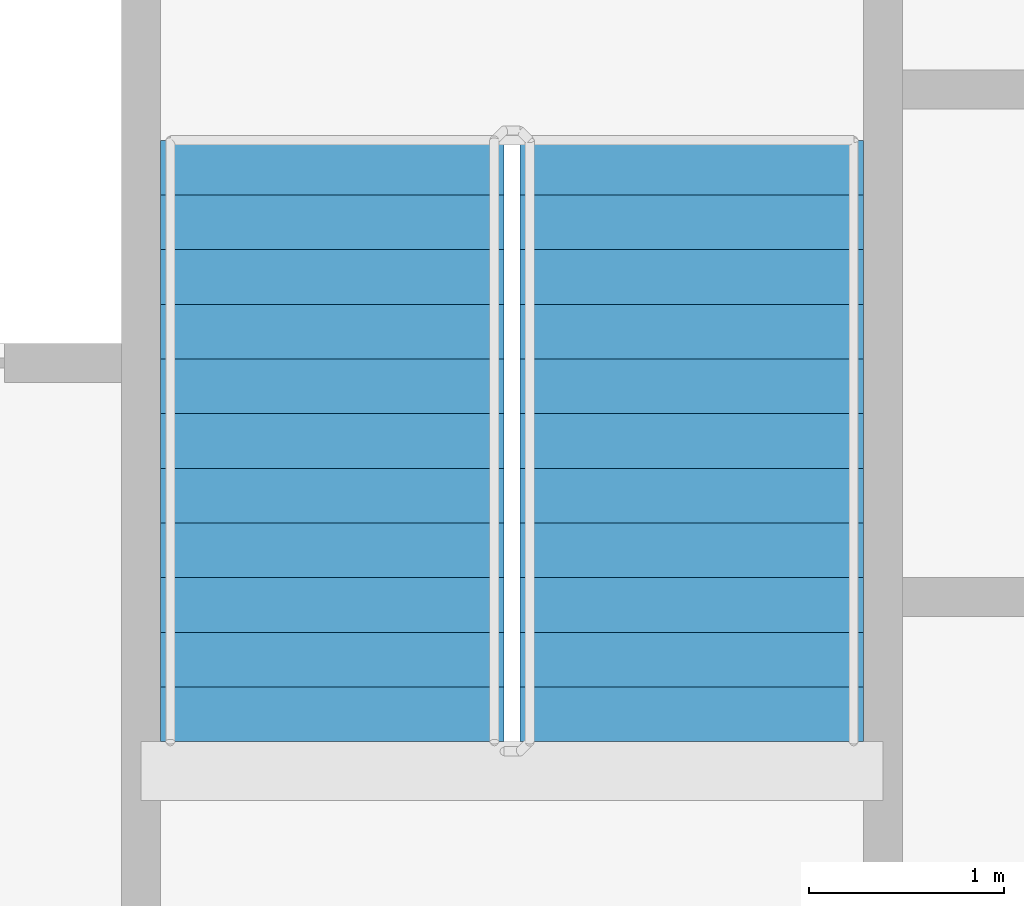
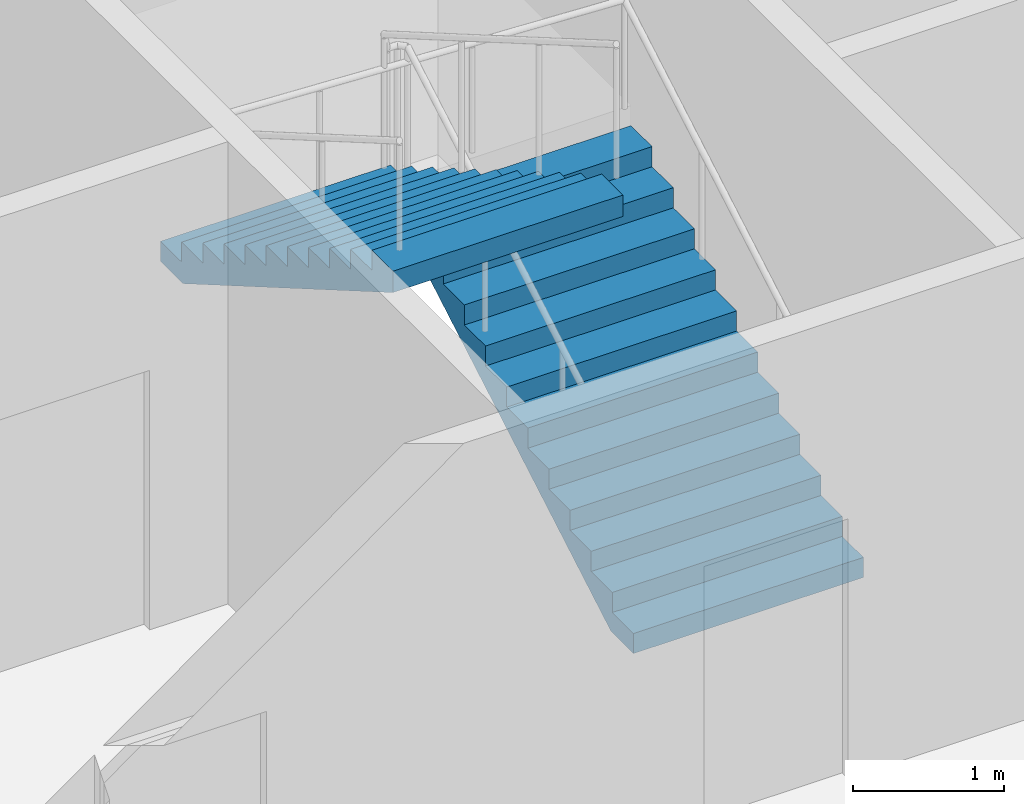
# One storey, part 10 of 15: 2 stair flights, 1 element without a shape of its own.
"""IFC4 building model written with IfcOpenShell, lengths in metres."""

from ifc_helpers import new_model, si_unit, direction, frame, origin, place, context, subcontext, project, spatial, faceted_brep, material, type_object, element, aggregate, save


model = new_model("IFC4")

# Units and contexts
model_context = context("Model", 3, precision=1e-05, world=origin(), true_north=direction((0.0, 1.0)))
body_context = subcontext(model_context, "Body", "Model", "MODEL_VIEW")
ifc_project = project(units=[si_unit("LENGTHUNIT", "METRE"), si_unit("AREAUNIT", "SQUARE_METRE"), si_unit("VOLUMEUNIT", "CUBIC_METRE"), si_unit("PLANEANGLEUNIT", "RADIAN"), si_unit("MASSUNIT", "GRAM", prefix="KILO")], contexts=[model_context])

# Site, building, storey
site_placement = place(None, origin())
site = spatial("IfcSite", under=ifc_project, at=site_placement, CompositionType="ELEMENT")
building_placement = place(site_placement, origin())
building = spatial("IfcBuilding", under=site, at=building_placement, Name="Tarsis Ring Headquarters", CompositionType="ELEMENT")
storey_placement = place(building_placement, frame((0.0, 0.0, 174.89990234375)))
storey = spatial("IfcBuildingStorey", under=building, at=storey_placement, Name="L40", CompositionType="ELEMENT", Elevation=174.89990234375)

# Stair, stair flights
ifc_material_1 = material(Name="Core stair 1760")
stair_type = type_object("IfcStairType", Name="Core stair 1760", PredefinedType="HALF_TURN_STAIR", material=ifc_material_1)
stair_placement = place(storey_placement, origin())
stair = element("IfcStair", 1, at=stair_placement, inside=storey, type_object=stair_type, Name="L40 Exit stair B", PredefinedType="HALF_TURN_STAIR")
ifc_material_2 = material(Name="Concrete C40/50", Category="concrete")
stair_flight_type = type_object("IfcStairFlightType", Name="Core stair flight 1760", PredefinedType="STRAIGHT", material=ifc_material_2)
stair_flight_1_placement = place(storey_placement, frame((5.419921875, 3.659912109375, 0.0), z_axis=(0.0, 0.0, 1.0), x_axis=(0.0, 1.0, 0.0)))
stair_flight_1 = element("IfcStairFlight", 2, at=stair_flight_1_placement, type_object=stair_flight_type, Name="Stair ST2 flight 1", NumberOfRisers=12, NumberOfTreads=11, PredefinedType="STRAIGHT", RiserHeight=0.1625, TreadLength=0.28, context=body_context, shape_type="Brep", body=[
    faceted_brep([(0.0, 0.8798828125, 0.0), (0.0, 0.8798828125, 0.16259765625), (0.280029296875, 0.8798828125, 0.16259765625), (0.280029296875, 0.8798828125, 0.324951171875), (0.56005859375, 0.8798828125, 0.324951171875), (0.56005859375, 0.8798828125, 0.487548828125), (0.840087890625, 0.8798828125, 0.487548828125), (0.840087890625, 0.8798828125, 0.64990234375), (1.1201171875, 0.8798828125, 0.64990234375), (1.1201171875, 0.8798828125, 0.8125), (1.39990234375, 0.8798828125, 0.8125), (1.39990234375, 0.8798828125, 0.97509765625), (1.679931640625, 0.8798828125, 0.97509765625), (1.679931640625, 0.8798828125, 1.137451171875), (1.9599609375, 0.8798828125, 1.137451171875), (1.9599609375, 0.8798828125, 1.300048828125), (2.239990234375, 0.8798828125, 1.300048828125), (2.239990234375, 0.8798828125, 1.46240234375), (2.52001953125, 0.8798828125, 1.46240234375), (2.52001953125, 0.8798828125, 1.625), (2.800048828125, 0.8798828125, 1.625), (2.800048828125, 0.8798828125, 1.78759765625), (3.080078125, 0.8798828125, 1.78759765625), (3.080078125, 0.8798828125, 1.6142578125), (0.298583984375, 0.8798828125, 0.0), (0.298583984375, -0.8798828125, 0.0), (3.080078125, -0.8798828125, 1.6142578125), (3.080078125, -0.8798828125, 1.78759765625), (2.800048828125, -0.8798828125, 1.78759765625), (2.800048828125, -0.8798828125, 1.625), (2.52001953125, -0.8798828125, 1.625), (2.52001953125, -0.8798828125, 1.46240234375), (2.239990234375, -0.8798828125, 1.46240234375), (2.239990234375, -0.8798828125, 1.300048828125), (1.9599609375, -0.8798828125, 1.300048828125), (1.9599609375, -0.8798828125, 1.137451171875), (1.679931640625, -0.8798828125, 1.137451171875), (1.679931640625, -0.8798828125, 0.97509765625), (1.39990234375, -0.8798828125, 0.97509765625), (1.39990234375, -0.8798828125, 0.8125), (1.1201171875, -0.8798828125, 0.8125), (1.1201171875, -0.8798828125, 0.64990234375), (0.840087890625, -0.8798828125, 0.64990234375), (0.840087890625, -0.8798828125, 0.487548828125), (0.56005859375, -0.8798828125, 0.487548828125), (0.56005859375, -0.8798828125, 0.324951171875), (0.280029296875, -0.8798828125, 0.324951171875), (0.280029296875, -0.8798828125, 0.16259765625), (0.0, -0.8798828125, 0.16259765625), (0.0, -0.8798828125, 0.0), (0.0, -0.43994140625, 0.16259765625), (0.0, -0.43994140625, 0.0), (0.0, 0.0, 0.16259765625), (0.0, 0.0, 0.0), (0.0, 0.43994140625, 0.16259765625), (0.0, 0.43994140625, 0.0), (0.280029296875, -0.43994140625, 0.16259765625), (0.280029296875, 0.0, 0.16259765625), (0.280029296875, 0.43994140625, 0.16259765625), (0.280029296875, -0.43994140625, 0.324951171875), (0.280029296875, 0.0, 0.324951171875), (0.280029296875, 0.43994140625, 0.324951171875), (0.56005859375, -0.43994140625, 0.324951171875), (0.56005859375, 0.0, 0.324951171875), (0.56005859375, 0.43994140625, 0.324951171875), (0.56005859375, -0.43994140625, 0.487548828125), (0.56005859375, 0.0, 0.487548828125), (0.56005859375, 0.43994140625, 0.487548828125), (0.840087890625, -0.43994140625, 0.487548828125), (0.840087890625, 0.0, 0.487548828125), (0.840087890625, 0.43994140625, 0.487548828125), (0.840087890625, -0.43994140625, 0.64990234375), (0.840087890625, 0.0, 0.64990234375), (0.840087890625, 0.43994140625, 0.64990234375), (1.1201171875, -0.43994140625, 0.64990234375), (1.1201171875, 0.0, 0.64990234375), (1.1201171875, 0.43994140625, 0.64990234375), (1.1201171875, -0.43994140625, 0.8125), (1.1201171875, 0.0, 0.8125), (1.1201171875, 0.43994140625, 0.8125), (1.39990234375, -0.43994140625, 0.8125), (1.39990234375, 0.0, 0.8125), (1.39990234375, 0.43994140625, 0.8125), (1.39990234375, -0.43994140625, 0.97509765625), (1.39990234375, 0.0, 0.97509765625), (1.39990234375, 0.43994140625, 0.97509765625), (1.679931640625, -0.43994140625, 0.97509765625), (1.679931640625, 0.0, 0.97509765625), (1.679931640625, 0.43994140625, 0.97509765625), (1.679931640625, -0.43994140625, 1.137451171875), (1.679931640625, 0.0, 1.137451171875), (1.679931640625, 0.43994140625, 1.137451171875), (1.9599609375, -0.43994140625, 1.137451171875), (1.9599609375, 0.0, 1.137451171875), (1.9599609375, 0.43994140625, 1.137451171875), (1.9599609375, -0.43994140625, 1.300048828125), (1.9599609375, 0.0, 1.300048828125), (1.9599609375, 0.43994140625, 1.300048828125), (2.239990234375, -0.43994140625, 1.300048828125), (2.239990234375, 0.0, 1.300048828125), (2.239990234375, 0.43994140625, 1.300048828125), (2.239990234375, -0.43994140625, 1.46240234375), (2.239990234375, 0.0, 1.46240234375), (2.239990234375, 0.43994140625, 1.46240234375), (2.52001953125, -0.43994140625, 1.46240234375), (2.52001953125, 0.0, 1.46240234375), (2.52001953125, 0.43994140625, 1.46240234375), (2.52001953125, -0.43994140625, 1.625), (2.52001953125, 0.0, 1.625), (2.52001953125, 0.43994140625, 1.625), (2.800048828125, -0.43994140625, 1.625), (2.800048828125, 0.0, 1.625), (2.800048828125, 0.43994140625, 1.625), (2.800048828125, -0.43994140625, 1.78759765625), (2.800048828125, 0.0, 1.78759765625), (2.800048828125, 0.43994140625, 1.78759765625), (3.080078125, -0.43994140625, 1.78759765625), (3.080078125, 0.0, 1.78759765625), (3.080078125, 0.43994140625, 1.78759765625), (3.080078125, -0.43994140625, 1.6142578125), (3.080078125, 0.0, 1.6142578125), (3.080078125, 0.43994140625, 1.6142578125), (0.298583984375, -0.43994140625, 0.0), (0.298583984375, 0.0, 0.0), (0.298583984375, 0.43994140625, 0.0)], [[[0, 1, 2, 3, 4, 5, 6, 7, 8, 9, 10, 11, 12, 13, 14, 15, 16, 17, 18, 19, 20, 21, 22, 23, 24]], [[25, 26, 27, 28, 29, 30, 31, 32, 33, 34, 35, 36, 37, 38, 39, 40, 41, 42, 43, 44, 45, 46, 47, 48, 49]], [[49, 48, 50, 51]], [[51, 50, 52, 53]], [[53, 52, 54, 55]], [[55, 54, 1, 0]], [[48, 47, 56, 50]], [[50, 56, 57, 52]], [[52, 57, 58, 54]], [[54, 58, 2, 1]], [[47, 46, 59, 56]], [[56, 59, 60, 57]], [[57, 60, 61, 58]], [[58, 61, 3, 2]], [[46, 45, 62, 59]], [[59, 62, 63, 60]], [[60, 63, 64, 61]], [[61, 64, 4, 3]], [[45, 44, 65, 62]], [[62, 65, 66, 63]], [[63, 66, 67, 64]], [[64, 67, 5, 4]], [[44, 43, 68, 65]], [[65, 68, 69, 66]], [[66, 69, 70, 67]], [[67, 70, 6, 5]], [[43, 42, 71, 68]], [[68, 71, 72, 69]], [[69, 72, 73, 70]], [[70, 73, 7, 6]], [[42, 41, 74, 71]], [[71, 74, 75, 72]], [[72, 75, 76, 73]], [[73, 76, 8, 7]], [[41, 40, 77, 74]], [[74, 77, 78, 75]], [[75, 78, 79, 76]], [[76, 79, 9, 8]], [[40, 39, 80, 77]], [[77, 80, 81, 78]], [[78, 81, 82, 79]], [[79, 82, 10, 9]], [[39, 38, 83, 80]], [[80, 83, 84, 81]], [[81, 84, 85, 82]], [[82, 85, 11, 10]], [[38, 37, 86, 83]], [[83, 86, 87, 84]], [[84, 87, 88, 85]], [[85, 88, 12, 11]], [[37, 36, 89, 86]], [[86, 89, 90, 87]], [[87, 90, 91, 88]], [[88, 91, 13, 12]], [[36, 35, 92, 89]], [[89, 92, 93, 90]], [[90, 93, 94, 91]], [[91, 94, 14, 13]], [[35, 34, 95, 92]], [[92, 95, 96, 93]], [[93, 96, 97, 94]], [[94, 97, 15, 14]], [[34, 33, 98, 95]], [[95, 98, 99, 96]], [[96, 99, 100, 97]], [[97, 100, 16, 15]], [[33, 32, 101, 98]], [[98, 101, 102, 99]], [[99, 102, 103, 100]], [[100, 103, 17, 16]], [[32, 31, 104, 101]], [[101, 104, 105, 102]], [[102, 105, 106, 103]], [[103, 106, 18, 17]], [[31, 30, 107, 104]], [[104, 107, 108, 105]], [[105, 108, 109, 106]], [[106, 109, 19, 18]], [[30, 29, 110, 107]], [[107, 110, 111, 108]], [[108, 111, 112, 109]], [[109, 112, 20, 19]], [[29, 28, 113, 110]], [[110, 113, 114, 111]], [[111, 114, 115, 112]], [[112, 115, 21, 20]], [[28, 27, 116, 113]], [[113, 116, 117, 114]], [[114, 117, 118, 115]], [[115, 118, 22, 21]], [[27, 26, 119, 116]], [[116, 119, 120, 117]], [[117, 120, 121, 118]], [[118, 121, 23, 22]], [[26, 25, 122, 119]], [[119, 122, 123, 120]], [[120, 123, 124, 121]], [[121, 124, 24, 23]], [[25, 49, 51, 122]], [[122, 51, 53, 123]], [[123, 53, 55, 124]], [[124, 55, 0, 24]]]),
])
stair_flight_2_placement = place(storey_placement, frame((3.580078125, 6.739990234375, 1.9501953125), z_axis=(0.0, 0.0, 1.0), x_axis=(0.0, -1.0, 0.0)))
stair_flight_2 = element("IfcStairFlight", 3, at=stair_flight_2_placement, type_object=stair_flight_type, Name="Stair ST2 flight 2", NumberOfRisers=12, NumberOfTreads=11, PredefinedType="STRAIGHT", RiserHeight=0.1625, TreadLength=0.28, context=body_context, shape_type="Brep", body=[
    faceted_brep([(0.0, 0.8798828125, 0.0), (0.0, 0.8798828125, 0.16259765625), (0.280029296875, 0.8798828125, 0.16259765625), (0.280029296875, 0.8798828125, 0.324951171875), (0.56005859375, 0.8798828125, 0.324951171875), (0.56005859375, 0.8798828125, 0.487548828125), (0.840087890625, 0.8798828125, 0.487548828125), (0.840087890625, 0.8798828125, 0.64990234375), (1.1201171875, 0.8798828125, 0.64990234375), (1.1201171875, 0.8798828125, 0.8125), (1.39990234375, 0.8798828125, 0.8125), (1.39990234375, 0.8798828125, 0.97509765625), (1.679931640625, 0.8798828125, 0.97509765625), (1.679931640625, 0.8798828125, 1.137451171875), (1.9599609375, 0.8798828125, 1.137451171875), (1.9599609375, 0.8798828125, 1.300048828125), (2.239990234375, 0.8798828125, 1.300048828125), (2.239990234375, 0.8798828125, 1.46240234375), (2.52001953125, 0.8798828125, 1.46240234375), (2.52001953125, 0.8798828125, 1.625), (2.800048828125, 0.8798828125, 1.625), (2.800048828125, 0.8798828125, 1.78759765625), (3.080078125, 0.8798828125, 1.78759765625), (3.080078125, 0.8798828125, 1.6142578125), (0.298583984375, 0.8798828125, 0.0), (0.298583984375, -0.8798828125, 0.0), (3.080078125, -0.8798828125, 1.6142578125), (3.080078125, -0.8798828125, 1.78759765625), (2.800048828125, -0.8798828125, 1.78759765625), (2.800048828125, -0.8798828125, 1.625), (2.52001953125, -0.8798828125, 1.625), (2.52001953125, -0.8798828125, 1.46240234375), (2.239990234375, -0.8798828125, 1.46240234375), (2.239990234375, -0.8798828125, 1.300048828125), (1.9599609375, -0.8798828125, 1.300048828125), (1.9599609375, -0.8798828125, 1.137451171875), (1.679931640625, -0.8798828125, 1.137451171875), (1.679931640625, -0.8798828125, 0.97509765625), (1.39990234375, -0.8798828125, 0.97509765625), (1.39990234375, -0.8798828125, 0.8125), (1.1201171875, -0.8798828125, 0.8125), (1.1201171875, -0.8798828125, 0.64990234375), (0.840087890625, -0.8798828125, 0.64990234375), (0.840087890625, -0.8798828125, 0.487548828125), (0.56005859375, -0.8798828125, 0.487548828125), (0.56005859375, -0.8798828125, 0.324951171875), (0.280029296875, -0.8798828125, 0.324951171875), (0.280029296875, -0.8798828125, 0.16259765625), (0.0, -0.8798828125, 0.16259765625), (0.0, -0.8798828125, 0.0), (0.0, -0.43994140625, 0.16259765625), (0.0, -0.43994140625, 0.0), (0.0, 0.0, 0.16259765625), (0.0, 0.0, 0.0), (0.0, 0.43994140625, 0.16259765625), (0.0, 0.43994140625, 0.0), (0.280029296875, -0.43994140625, 0.16259765625), (0.280029296875, 0.0, 0.16259765625), (0.280029296875, 0.43994140625, 0.16259765625), (0.280029296875, -0.43994140625, 0.324951171875), (0.280029296875, 0.0, 0.324951171875), (0.280029296875, 0.43994140625, 0.324951171875), (0.56005859375, -0.43994140625, 0.324951171875), (0.56005859375, 0.0, 0.324951171875), (0.56005859375, 0.43994140625, 0.324951171875), (0.56005859375, -0.43994140625, 0.487548828125), (0.56005859375, 0.0, 0.487548828125), (0.56005859375, 0.43994140625, 0.487548828125), (0.840087890625, -0.43994140625, 0.487548828125), (0.840087890625, 0.0, 0.487548828125), (0.840087890625, 0.43994140625, 0.487548828125), (0.840087890625, -0.43994140625, 0.64990234375), (0.840087890625, 0.0, 0.64990234375), (0.840087890625, 0.43994140625, 0.64990234375), (1.1201171875, -0.43994140625, 0.64990234375), (1.1201171875, 0.0, 0.64990234375), (1.1201171875, 0.43994140625, 0.64990234375), (1.1201171875, -0.43994140625, 0.8125), (1.1201171875, 0.0, 0.8125), (1.1201171875, 0.43994140625, 0.8125), (1.39990234375, -0.43994140625, 0.8125), (1.39990234375, 0.0, 0.8125), (1.39990234375, 0.43994140625, 0.8125), (1.39990234375, -0.43994140625, 0.97509765625), (1.39990234375, 0.0, 0.97509765625), (1.39990234375, 0.43994140625, 0.97509765625), (1.679931640625, -0.43994140625, 0.97509765625), (1.679931640625, 0.0, 0.97509765625), (1.679931640625, 0.43994140625, 0.97509765625), (1.679931640625, -0.43994140625, 1.137451171875), (1.679931640625, 0.0, 1.137451171875), (1.679931640625, 0.43994140625, 1.137451171875), (1.9599609375, -0.43994140625, 1.137451171875), (1.9599609375, 0.0, 1.137451171875), (1.9599609375, 0.43994140625, 1.137451171875), (1.9599609375, -0.43994140625, 1.300048828125), (1.9599609375, 0.0, 1.300048828125), (1.9599609375, 0.43994140625, 1.300048828125), (2.239990234375, -0.43994140625, 1.300048828125), (2.239990234375, 0.0, 1.300048828125), (2.239990234375, 0.43994140625, 1.300048828125), (2.239990234375, -0.43994140625, 1.46240234375), (2.239990234375, 0.0, 1.46240234375), (2.239990234375, 0.43994140625, 1.46240234375), (2.52001953125, -0.43994140625, 1.46240234375), (2.52001953125, 0.0, 1.46240234375), (2.52001953125, 0.43994140625, 1.46240234375), (2.52001953125, -0.43994140625, 1.625), (2.52001953125, 0.0, 1.625), (2.52001953125, 0.43994140625, 1.625), (2.800048828125, -0.43994140625, 1.625), (2.800048828125, 0.0, 1.625), (2.800048828125, 0.43994140625, 1.625), (2.800048828125, -0.43994140625, 1.78759765625), (2.800048828125, 0.0, 1.78759765625), (2.800048828125, 0.43994140625, 1.78759765625), (3.080078125, -0.43994140625, 1.78759765625), (3.080078125, 0.0, 1.78759765625), (3.080078125, 0.43994140625, 1.78759765625), (3.080078125, -0.43994140625, 1.6142578125), (3.080078125, 0.0, 1.6142578125), (3.080078125, 0.43994140625, 1.6142578125), (0.298583984375, -0.43994140625, 0.0), (0.298583984375, 0.0, 0.0), (0.298583984375, 0.43994140625, 0.0)], [[[0, 1, 2, 3, 4, 5, 6, 7, 8, 9, 10, 11, 12, 13, 14, 15, 16, 17, 18, 19, 20, 21, 22, 23, 24]], [[25, 26, 27, 28, 29, 30, 31, 32, 33, 34, 35, 36, 37, 38, 39, 40, 41, 42, 43, 44, 45, 46, 47, 48, 49]], [[49, 48, 50, 51]], [[51, 50, 52, 53]], [[53, 52, 54, 55]], [[55, 54, 1, 0]], [[48, 47, 56, 50]], [[50, 56, 57, 52]], [[52, 57, 58, 54]], [[54, 58, 2, 1]], [[47, 46, 59, 56]], [[56, 59, 60, 57]], [[57, 60, 61, 58]], [[58, 61, 3, 2]], [[46, 45, 62, 59]], [[59, 62, 63, 60]], [[60, 63, 64, 61]], [[61, 64, 4, 3]], [[45, 44, 65, 62]], [[62, 65, 66, 63]], [[63, 66, 67, 64]], [[64, 67, 5, 4]], [[44, 43, 68, 65]], [[65, 68, 69, 66]], [[66, 69, 70, 67]], [[67, 70, 6, 5]], [[43, 42, 71, 68]], [[68, 71, 72, 69]], [[69, 72, 73, 70]], [[70, 73, 7, 6]], [[42, 41, 74, 71]], [[71, 74, 75, 72]], [[72, 75, 76, 73]], [[73, 76, 8, 7]], [[41, 40, 77, 74]], [[74, 77, 78, 75]], [[75, 78, 79, 76]], [[76, 79, 9, 8]], [[40, 39, 80, 77]], [[77, 80, 81, 78]], [[78, 81, 82, 79]], [[79, 82, 10, 9]], [[39, 38, 83, 80]], [[80, 83, 84, 81]], [[81, 84, 85, 82]], [[82, 85, 11, 10]], [[38, 37, 86, 83]], [[83, 86, 87, 84]], [[84, 87, 88, 85]], [[85, 88, 12, 11]], [[37, 36, 89, 86]], [[86, 89, 90, 87]], [[87, 90, 91, 88]], [[88, 91, 13, 12]], [[36, 35, 92, 89]], [[89, 92, 93, 90]], [[90, 93, 94, 91]], [[91, 94, 14, 13]], [[35, 34, 95, 92]], [[92, 95, 96, 93]], [[93, 96, 97, 94]], [[94, 97, 15, 14]], [[34, 33, 98, 95]], [[95, 98, 99, 96]], [[96, 99, 100, 97]], [[97, 100, 16, 15]], [[33, 32, 101, 98]], [[98, 101, 102, 99]], [[99, 102, 103, 100]], [[100, 103, 17, 16]], [[32, 31, 104, 101]], [[101, 104, 105, 102]], [[102, 105, 106, 103]], [[103, 106, 18, 17]], [[31, 30, 107, 104]], [[104, 107, 108, 105]], [[105, 108, 109, 106]], [[106, 109, 19, 18]], [[30, 29, 110, 107]], [[107, 110, 111, 108]], [[108, 111, 112, 109]], [[109, 112, 20, 19]], [[29, 28, 113, 110]], [[110, 113, 114, 111]], [[111, 114, 115, 112]], [[112, 115, 21, 20]], [[28, 27, 116, 113]], [[113, 116, 117, 114]], [[114, 117, 118, 115]], [[115, 118, 22, 21]], [[27, 26, 119, 116]], [[116, 119, 120, 117]], [[117, 120, 121, 118]], [[118, 121, 23, 22]], [[26, 25, 122, 119]], [[119, 122, 123, 120]], [[120, 123, 124, 121]], [[121, 124, 24, 23]], [[25, 49, 51, 122]], [[122, 51, 53, 123]], [[123, 53, 55, 124]], [[124, 55, 0, 24]]]),
])
aggregate(stair, [stair_flight_1, stair_flight_2])

save(model, "model.ifc")
